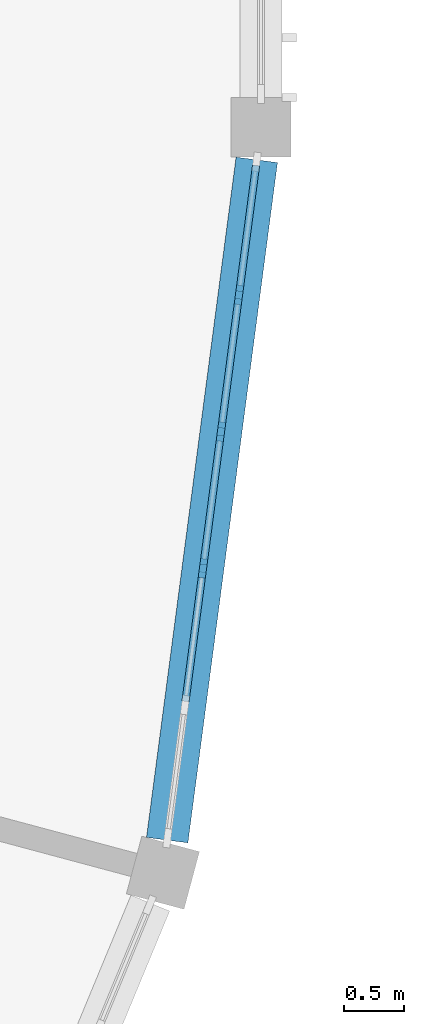
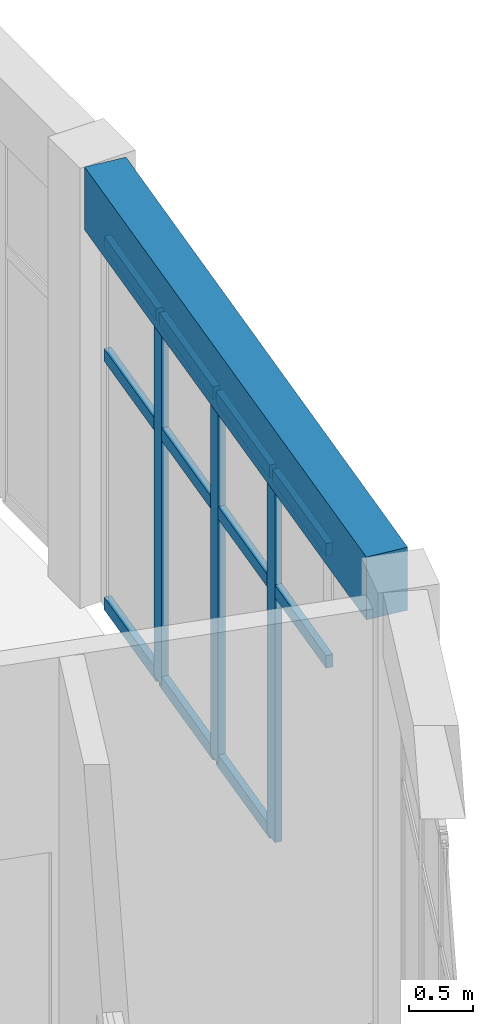
# One storey, part 9 of 99: 14 members, 1 beam, 1 element without a shape of its own.
"""IFC4 building model written with IfcOpenShell, lengths in metres."""

from ifc_helpers import new_model, si_unit, direction, frame, origin, origin_2d, place, context, subcontext, project, spatial, rectangle, extrude, material, layer, layer_set, material_profile, profile_set, type_object, element, aggregate, save


model = new_model("IFC4")

# Units and contexts
model_context = context("Model", 3, precision=1e-05, world=origin(), true_north=direction((0.0, 1.0)))
body_context = subcontext(model_context, "Body", "Model", "MODEL_VIEW")
ifc_project = project(units=[si_unit("LENGTHUNIT", "METRE"), si_unit("AREAUNIT", "SQUARE_METRE"), si_unit("VOLUMEUNIT", "CUBIC_METRE"), si_unit("PLANEANGLEUNIT", "RADIAN"), si_unit("MASSUNIT", "GRAM", prefix="KILO")], contexts=[model_context])

# Site, building, storey
site_placement = place(None, origin())
site = spatial("IfcSite", under=ifc_project, at=site_placement, CompositionType="ELEMENT")
building_placement = place(site_placement, origin())
building = spatial("IfcBuilding", under=site, at=building_placement, Name="Wasatch Bagh Community Centre", CompositionType="ELEMENT")
storey_placement = place(building_placement, frame((0.0, 0.0, 4.199951171875)))
storey = spatial("IfcBuildingStorey", under=building, at=storey_placement, Name="L01", CompositionType="ELEMENT", Elevation=4.199951171875)

# Curtain wall, members
ifc_material_1 = material(Name="Aluminium curtain wall frame with low-iron insulated glass", Category="aluminium")
ifc_layer = layer(ifc_material_1, 0.14990234375)
ifc_layer_set = layer_set([ifc_layer], Name="Aluminium curtain wall frame with low-iron insulated glass")
curtain_wall_type = type_object("IfcCurtainWallType", Name="Drum curtain wall DR-CW2", PredefinedType="NOTDEFINED", material=ifc_layer_set)
curtain_wall_placement = place(storey_placement, origin())
curtain_wall = element("IfcCurtainWall", 1, at=curtain_wall_placement, inside=storey, type_object=curtain_wall_type, Name="Curtain wall DR-CW2 12", PredefinedType="NOTDEFINED")
ifc_material_2 = material(Name="Aluminium curtain wall frame", Category="aluminium")
ifc_material_profile_1 = material_profile(ifc_material_2, rectangle(XDim=0.06005859375, YDim=0.159912109375, at=origin_2d()), Name="Drum mullion DR-CW2")
ifc_profile_set_1 = profile_set([ifc_material_profile_1], Name="Aluminium curtain wall frame")
member_type_1 = type_object("IfcMemberType", Name="Drum mullion DR-CW2", PredefinedType="MULLION", material=ifc_profile_set_1)
member_1_placement = place(storey_placement, frame((59.6630859375, 31.3017578125, 0.0), z_axis=(0.0, 0.0, 1.0), x_axis=(-0.991444861378, 0.130526192185, 0.0)))
member_1 = element("IfcMember", 2, at=member_1_placement, type_object=member_type_1, Name="DR-CW2 mullion 3", PredefinedType="MULLION", context=body_context, shape_type="SweptSolid", body=[
    extrude(rectangle(XDim=0.06005859375, YDim=0.159912109375, at=origin_2d()), origin(), (0.0, 0.0, 1.0), 3.5),
])
member_2_placement = place(storey_placement, frame((59.81396484375, 32.44775390625, 0.0), z_axis=(0.0, 0.0, 1.0), x_axis=(-0.991444861378, 0.130526192185, 0.0)))
member_2 = element("IfcMember", 3, at=member_2_placement, type_object=member_type_1, Name="DR-CW2 mullion 4", PredefinedType="MULLION", context=body_context, shape_type="SweptSolid", body=[
    extrude(rectangle(XDim=0.06005859375, YDim=0.159912109375, at=origin_2d()), origin(), (0.0, 0.0, 1.0), 3.5),
])
member_3_placement = place(storey_placement, frame((59.96484375, 33.59375, 0.0), z_axis=(0.0, 0.0, 1.0), x_axis=(-0.991444861378, 0.130526192185, 0.0)))
member_3 = element("IfcMember", 4, at=member_3_placement, type_object=member_type_1, Name="DR-CW2 mullion 5", PredefinedType="MULLION", context=body_context, shape_type="SweptSolid", body=[
    extrude(rectangle(XDim=0.06005859375, YDim=0.159912109375, at=origin_2d()), origin(), (0.0, 0.0, 1.0), 3.5),
])

# Beam
ifc_material_3 = material(Name="Concrete C35", Category="concrete")
ifc_material_profile_2 = material_profile(ifc_material_3, rectangle(XDim=0.35009765625, YDim=0.60009765625, at=origin_2d()), Name="RC 350x600")
ifc_profile_set_2 = profile_set([ifc_material_profile_2], Name="Concrete C35")
beam_type = type_object("IfcBeamType", Name="Drum ring beam RC 350x600", PredefinedType="BEAM", material=ifc_profile_set_2)
beam_placement = place(storey_placement, frame((59.363037109375, 29.02294921875, 3.900146484375), z_axis=(0.130540139759, 0.991443025046, 0.0), x_axis=(-0.991443025046, 0.130540139759, 0.0)))
element("IfcBeam", 5, at=beam_placement, inside=storey, type_object=beam_type, Name="Ring beam 8.4 DO-S11-DO-E1", PredefinedType="BEAM", context=body_context, shape_type="SweptSolid", body=[
    extrude(rectangle(XDim=0.35009765625, YDim=0.60009765625, at=origin_2d()), origin(), (0.0, 0.0, 1.0), 5.7529296875),
])

# Member
ifc_material_profile_3 = material_profile(ifc_material_2, rectangle(XDim=0.06005859375, YDim=0.1201171875, at=origin_2d()), Name="Drum transom DR-CW2")
ifc_profile_set_3 = profile_set([ifc_material_profile_3], Name="Aluminium curtain wall frame")
member_type_2 = type_object("IfcMemberType", Name="Drum transom DR-CW2", PredefinedType="USERDEFINED", material=ifc_profile_set_3)
member_4_placement = place(storey_placement, frame((59.51611328125, 30.185546875, 2.400146484375), z_axis=(0.130558250608, 0.99144064028, 0.0), x_axis=(-0.99144064028, 0.130558250608, 0.0)))
member_4 = element("IfcMember", 6, at=member_4_placement, type_object=member_type_2, Name="DR-CW2 transom 2.2", ObjectType="TRANSOM", PredefinedType="USERDEFINED", context=body_context, shape_type="SweptSolid", body=[
    extrude(rectangle(XDim=0.06005859375, YDim=0.1201171875, at=origin_2d()), origin(), (0.0, 0.0, 1.0), 1.095703125),
])

member_5_placement = place(storey_placement, frame((59.51611328125, 30.185546875, 3.469970703125), z_axis=(0.130558250608, 0.99144064028, 0.0), x_axis=(-0.99144064028, 0.130558250608, 0.0)))
member_5 = element("IfcMember", 7, at=member_5_placement, type_object=member_type_2, Name="DR-CW2 transom 2.3", ObjectType="TRANSOM", PredefinedType="USERDEFINED", context=body_context, shape_type="SweptSolid", body=[
    extrude(rectangle(XDim=0.06005859375, YDim=0.1201171875, at=origin_2d()), origin(), (0.0, 0.0, 1.0), 1.095703125),
])

member_6_placement = place(storey_placement, frame((59.6669921875, 31.33154296875, 0.030029296875), z_axis=(0.130558250608, 0.99144064028, 0.0), x_axis=(-0.99144064028, 0.130558250608, 0.0)))
member_6 = element("IfcMember", 8, at=member_6_placement, type_object=member_type_2, Name="DR-CW2 transom 3.1", ObjectType="TRANSOM", PredefinedType="USERDEFINED", context=body_context, shape_type="SweptSolid", body=[
    extrude(rectangle(XDim=0.06005859375, YDim=0.1201171875, at=origin_2d()), origin(), (0.0, 0.0, 1.0), 1.095703125),
])

member_7_placement = place(storey_placement, frame((59.6669921875, 31.33154296875, 2.400146484375), z_axis=(0.130558250608, 0.99144064028, 0.0), x_axis=(-0.99144064028, 0.130558250608, 0.0)))
member_7 = element("IfcMember", 9, at=member_7_placement, type_object=member_type_2, Name="DR-CW2 transom 3.2", ObjectType="TRANSOM", PredefinedType="USERDEFINED", context=body_context, shape_type="SweptSolid", body=[
    extrude(rectangle(XDim=0.06005859375, YDim=0.1201171875, at=origin_2d()), origin(), (0.0, 0.0, 1.0), 1.095703125),
])

member_8_placement = place(storey_placement, frame((59.6669921875, 31.33154296875, 3.469970703125), z_axis=(0.130558250608, 0.99144064028, 0.0), x_axis=(-0.99144064028, 0.130558250608, 0.0)))
member_8 = element("IfcMember", 10, at=member_8_placement, type_object=member_type_2, Name="DR-CW2 transom 3.3", ObjectType="TRANSOM", PredefinedType="USERDEFINED", context=body_context, shape_type="SweptSolid", body=[
    extrude(rectangle(XDim=0.06005859375, YDim=0.1201171875, at=origin_2d()), origin(), (0.0, 0.0, 1.0), 1.095703125),
])

member_9_placement = place(storey_placement, frame((59.81787109375, 32.4775390625, 0.030029296875), z_axis=(0.130558250608, 0.99144064028, 0.0), x_axis=(-0.99144064028, 0.130558250608, 0.0)))
member_9 = element("IfcMember", 11, at=member_9_placement, type_object=member_type_2, Name="DR-CW2 transom 4.1", ObjectType="TRANSOM", PredefinedType="USERDEFINED", context=body_context, shape_type="SweptSolid", body=[
    extrude(rectangle(XDim=0.06005859375, YDim=0.1201171875, at=origin_2d()), origin(), (0.0, 0.0, 1.0), 1.095703125),
])

member_10_placement = place(storey_placement, frame((59.81787109375, 32.4775390625, 2.400146484375), z_axis=(0.130558250608, 0.99144064028, 0.0), x_axis=(-0.99144064028, 0.130558250608, 0.0)))
member_10 = element("IfcMember", 12, at=member_10_placement, type_object=member_type_2, Name="DR-CW2 transom 4.2", ObjectType="TRANSOM", PredefinedType="USERDEFINED", context=body_context, shape_type="SweptSolid", body=[
    extrude(rectangle(XDim=0.06005859375, YDim=0.1201171875, at=origin_2d()), origin(), (0.0, 0.0, 1.0), 1.095703125),
])

member_11_placement = place(storey_placement, frame((59.81787109375, 32.4775390625, 3.469970703125), z_axis=(0.130558250608, 0.99144064028, 0.0), x_axis=(-0.99144064028, 0.130558250608, 0.0)))
member_11 = element("IfcMember", 13, at=member_11_placement, type_object=member_type_2, Name="DR-CW2 transom 4.3", ObjectType="TRANSOM", PredefinedType="USERDEFINED", context=body_context, shape_type="SweptSolid", body=[
    extrude(rectangle(XDim=0.06005859375, YDim=0.1201171875, at=origin_2d()), origin(), (0.0, 0.0, 1.0), 1.095703125),
])

member_12_placement = place(storey_placement, frame((59.96875, 33.62353515625, 0.030029296875), z_axis=(0.130573025845, 0.991438694485, 0.0), x_axis=(-0.991438694485, 0.130573025845, 0.0)))
member_12 = element("IfcMember", 14, at=member_12_placement, type_object=member_type_2, Name="DR-CW2 transom 5.1", ObjectType="TRANSOM", PredefinedType="USERDEFINED", context=body_context, shape_type="SweptSolid", body=[
    extrude(rectangle(XDim=0.06005859375, YDim=0.1201171875, at=origin_2d()), origin(), (0.0, 0.0, 1.0), 1.065673828125),
])

member_13_placement = place(storey_placement, frame((59.96875, 33.62353515625, 2.400146484375), z_axis=(0.130573025845, 0.991438694485, 0.0), x_axis=(-0.991438694485, 0.130573025845, 0.0)))
member_13 = element("IfcMember", 15, at=member_13_placement, type_object=member_type_2, Name="DR-CW2 transom 5.2", ObjectType="TRANSOM", PredefinedType="USERDEFINED", context=body_context, shape_type="SweptSolid", body=[
    extrude(rectangle(XDim=0.06005859375, YDim=0.1201171875, at=origin_2d()), origin(), (0.0, 0.0, 1.0), 1.065673828125),
])

member_14_placement = place(storey_placement, frame((59.96875, 33.62353515625, 3.469970703125), z_axis=(0.130573025845, 0.991438694485, 0.0), x_axis=(-0.991438694485, 0.130573025845, 0.0)))
member_14 = element("IfcMember", 16, at=member_14_placement, type_object=member_type_2, Name="DR-CW2 transom 5.3", ObjectType="TRANSOM", PredefinedType="USERDEFINED", context=body_context, shape_type="SweptSolid", body=[
    extrude(rectangle(XDim=0.06005859375, YDim=0.1201171875, at=origin_2d()), origin(), (0.0, 0.0, 1.0), 1.065673828125),
])

aggregate(curtain_wall, [member_1, member_2, member_3, member_4, member_5, member_6, member_7, member_8, member_9, member_10, member_11, member_12, member_13, member_14])

save(model, "model.ifc")
